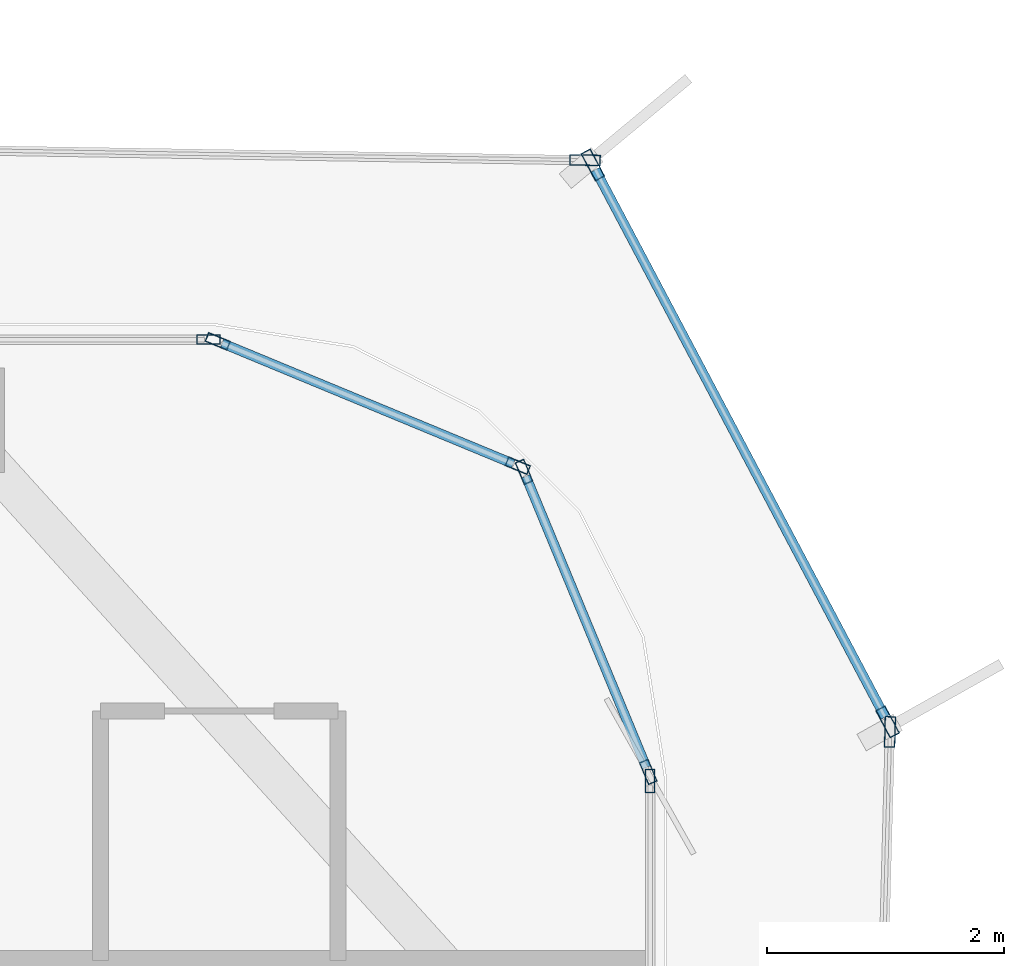
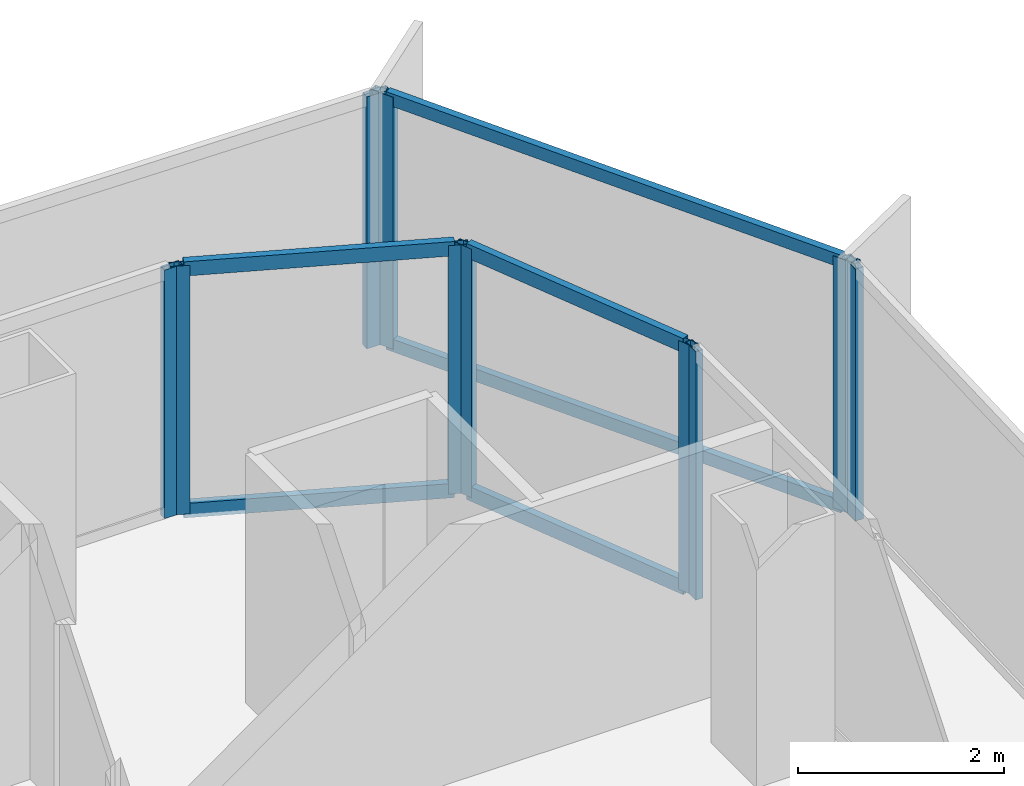
# One storey, part 14 of 21: 16 members, 7 elements without a shape of their own.
"""IFC4 building model written with IfcOpenShell, lengths in metres."""

from ifc_helpers import new_model, si_unit, direction, frame, origin, origin_2d, place, context, subcontext, project, spatial, hollow_rectangle, extrude, source, transform, mapped, material, layer, layer_set, material_profile, profile_set, type_object, element, aggregate, save


model = new_model("IFC4")

# Units and contexts
model_context = context("Model", 3, precision=1e-05, world=origin(), true_north=direction((0.0, 1.0)))
body_context = subcontext(model_context, "Body", "Model", "MODEL_VIEW")
ifc_project = project(units=[si_unit("LENGTHUNIT", "METRE"), si_unit("AREAUNIT", "SQUARE_METRE"), si_unit("VOLUMEUNIT", "CUBIC_METRE"), si_unit("PLANEANGLEUNIT", "RADIAN"), si_unit("MASSUNIT", "GRAM", prefix="KILO")], contexts=[model_context])

# Site, building, storey
site_placement = place(None, origin())
site = spatial("IfcSite", under=ifc_project, at=site_placement, CompositionType="ELEMENT")
building_placement = place(site_placement, origin())
building = spatial("IfcBuilding", under=site, at=building_placement, Name="Kolveth Station Tower", CompositionType="ELEMENT")
storey_placement = place(building_placement, frame((0.0, 0.0, 118.300048828125)))
storey = spatial("IfcBuildingStorey", under=building, at=storey_placement, Name="L32", CompositionType="ELEMENT", Elevation=118.300048828125)

# Curtain wall, member
ifc_material_1 = material(Name="Aluminium 6063-T6 and low-E dark glass", Category="aluminium")
ifc_layer_1 = layer(ifc_material_1, 0.18994140625)
ifc_layer_set_1 = layer_set([ifc_layer_1], Name="Aluminium 6063-T6 and low-E dark glass")
curtain_wall_type_1 = type_object("IfcCurtainWallType", Name="CurtainWall_CW-Z2", PredefinedType="NOTDEFINED", material=ifc_layer_set_1)
curtain_wall_1_placement = place(storey_placement, origin())
curtain_wall_1 = element("IfcCurtainWall", 1, at=curtain_wall_1_placement, inside=storey, type_object=curtain_wall_type_1, Name="L32 Inner Thermal Curtain Wall 3", PredefinedType="NOTDEFINED")
ifc_material_2 = material(Name="Black anodized aluminium 6063-T6", Category="aluminium")
ifc_material_profile_1 = material_profile(ifc_material_2, hollow_rectangle(XDim=0.080078125, YDim=0.199951171875, WallThickness=0.0048828125, at=origin_2d()), Name="ALU-80x200x5")
ifc_profile_set_1 = profile_set([ifc_material_profile_1], Name="Black anodized aluminium 6063-T6")
member_type_1 = type_object("IfcMemberType", Name="Mullion_ML2", PredefinedType="MULLION", material=ifc_profile_set_1)
shared_shape_1 = source(origin(), body_context, "Body", "SweptSolid", [
    extrude(hollow_rectangle(XDim=0.080078125, YDim=0.199951171875, WallThickness=0.0048828125, at=origin_2d()), origin(), (0.0, 0.0, 1.0), 2.949951171875),
])
member_1_placement = place(storey_placement, frame((46.8798828125, 31.4599609375, 0.0), z_axis=(0.0, 0.0, 1.0), x_axis=(-1.0, 0.0, 0.0)))
member_1 = element("IfcMember", 2, at=member_1_placement, type_object=member_type_1, Name="CW-Z2 mullion 2", PredefinedType="MULLION", context=body_context, shape_type="MappedRepresentation", body=[
    mapped(shared_shape_1, transform((0.0, 0.0, 0.0), x_axis=(1.0, 0.0, 0.0), y_axis=(0.0, 1.0, 0.0), z_axis=(0.0, 0.0, 1.0), scale=1.0)),
])
aggregate(curtain_wall_1, [member_1])

# Curtain wall, members
curtain_wall_2_placement = place(storey_placement, origin())
curtain_wall_2 = element("IfcCurtainWall", 3, at=curtain_wall_2_placement, inside=storey, type_object=curtain_wall_type_1, Name="L32 Inner Thermal Curtain Wall 4", PredefinedType="NOTDEFINED")
member_2_placement = place(storey_placement, frame((46.86474609375, 31.536865234375, 0.0), z_axis=(0.0, 0.0, 1.0), x_axis=(-0.923887883787, -0.38266326998, 0.0)))
member_2 = element("IfcMember", 4, at=member_2_placement, type_object=member_type_1, Name="CW-Z2 mullion 1", PredefinedType="MULLION", context=body_context, shape_type="MappedRepresentation", body=[
    mapped(shared_shape_1, transform((0.0, 0.0, 0.0), x_axis=(1.0, 0.0, 0.0), y_axis=(0.0, 1.0, 0.0), z_axis=(0.0, 0.0, 1.0), scale=1.0)),
])
member_3_placement = place(storey_placement, frame((45.817626953125, 34.065185546875, 0.0), z_axis=(0.0, 0.0, 1.0), x_axis=(-0.923887883787, -0.38266326998, 0.0)))
member_3 = element("IfcMember", 5, at=member_3_placement, type_object=member_type_1, Name="CW-Z2 mullion 2", PredefinedType="MULLION", context=body_context, shape_type="MappedRepresentation", body=[
    mapped(shared_shape_1, transform((0.0, 0.0, 0.0), x_axis=(1.0, 0.0, 0.0), y_axis=(0.0, 1.0, 0.0), z_axis=(0.0, 0.0, 1.0), scale=1.0)),
])

curtain_wall_3_placement = place(storey_placement, origin())
curtain_wall_3 = element("IfcCurtainWall", 6, at=curtain_wall_3_placement, inside=storey, type_object=curtain_wall_type_1, Name="L32 Inner Thermal Curtain Wall 5", PredefinedType="NOTDEFINED")
member_4_placement = place(storey_placement, frame((45.76513671875, 34.117431640625, 0.0), z_axis=(0.0, 0.0, 1.0), x_axis=(-0.38266326998, -0.923887883787, 0.0)))
member_4 = element("IfcMember", 7, at=member_4_placement, type_object=member_type_1, Name="CW-Z2 mullion 1", PredefinedType="MULLION", context=body_context, shape_type="MappedRepresentation", body=[
    mapped(shared_shape_1, transform((0.0, 0.0, 0.0), x_axis=(1.0, 0.0, 0.0), y_axis=(0.0, 1.0, 0.0), z_axis=(0.0, 0.0, 1.0), scale=1.0)),
])
member_5_placement = place(storey_placement, frame((43.237060546875, 35.164794921875, 0.0), z_axis=(0.0, 0.0, 1.0), x_axis=(-0.38266326998, -0.923887883787, 0.0)))
member_5 = element("IfcMember", 8, at=member_5_placement, type_object=member_type_1, Name="CW-Z2 mullion 2", PredefinedType="MULLION", context=body_context, shape_type="MappedRepresentation", body=[
    mapped(shared_shape_1, transform((0.0, 0.0, 0.0), x_axis=(1.0, 0.0, 0.0), y_axis=(0.0, 1.0, 0.0), z_axis=(0.0, 0.0, 1.0), scale=1.0)),
])

# Curtain wall, member
curtain_wall_4_placement = place(storey_placement, origin())
curtain_wall_4 = element("IfcCurtainWall", 9, at=curtain_wall_4_placement, inside=storey, type_object=curtain_wall_type_1, Name="L32 Inner Thermal Curtain Wall 6", PredefinedType="NOTDEFINED")
member_6_placement = place(storey_placement, frame((43.159912109375, 35.179931640625, 0.0), z_axis=(0.0, 0.0, 1.0), x_axis=(0.0, -1.0, 0.0)))
member_6 = element("IfcMember", 10, at=member_6_placement, type_object=member_type_1, Name="CW-Z2 mullion 1", PredefinedType="MULLION", context=body_context, shape_type="MappedRepresentation", body=[
    mapped(shared_shape_1, transform((0.0, 0.0, 0.0), x_axis=(1.0, 0.0, 0.0), y_axis=(0.0, 1.0, 0.0), z_axis=(0.0, 0.0, 1.0), scale=1.0)),
])
aggregate(curtain_wall_4, [member_6])

# Member
ifc_material_profile_2 = material_profile(ifc_material_2, hollow_rectangle(XDim=0.080078125, YDim=0.169921875, WallThickness=0.0048828125, at=origin_2d()), Name="ALU-80x170x5")
ifc_profile_set_2 = profile_set([ifc_material_profile_2], Name="Black anodized aluminium 6063-T6")
member_type_2 = type_object("IfcMemberType", Name="Transom_TR2", PredefinedType="USERDEFINED", material=ifc_profile_set_2)
shared_shape_2 = source(origin(), body_context, "Body", "SweptSolid", [
    extrude(hollow_rectangle(XDim=0.080078125, YDim=0.169921875, WallThickness=0.0048828125, at=origin_2d()), origin(), (0.0, 0.0, 1.0), 2.656494140625),
])
member_7_placement = place(storey_placement, frame((46.849365234375, 31.573974609375, 0.0400390625), z_axis=(-0.382676455475, 0.923882422403, 0.0), x_axis=(-0.923882422403, -0.382676455475, 0.0)))
member_7 = element("IfcMember", 11, at=member_7_placement, type_object=member_type_2, Name="CW-Z2 transom 1.1", ObjectType="TRANSOM", PredefinedType="USERDEFINED", context=body_context, shape_type="MappedRepresentation", body=[
    mapped(shared_shape_2, transform((0.0, 0.0, 0.0), x_axis=(1.0, 0.0, 0.0), y_axis=(0.0, 1.0, 0.0), z_axis=(0.0, 0.0, 1.0), scale=1.0)),
])

member_8_placement = place(storey_placement, frame((46.849365234375, 31.573974609375, 2.909912109375), z_axis=(-0.382676455475, 0.923882422403, 0.0), x_axis=(-0.923882422403, -0.382676455475, 0.0)))
member_8 = element("IfcMember", 12, at=member_8_placement, type_object=member_type_2, Name="CW-Z2 transom 1.2", ObjectType="TRANSOM", PredefinedType="USERDEFINED", context=body_context, shape_type="MappedRepresentation", body=[
    mapped(shared_shape_2, transform((0.0, 0.0, 0.0), x_axis=(1.0, 0.0, 0.0), y_axis=(0.0, 1.0, 0.0), z_axis=(0.0, 0.0, 1.0), scale=1.0)),
])

aggregate(curtain_wall_2, [member_2, member_3, member_7, member_8])

member_9_placement = place(storey_placement, frame((45.728271484375, 34.1328125, 0.0400390625), z_axis=(-0.923882422403, 0.382676455475, 0.0), x_axis=(-0.382676455475, -0.923882422403, 0.0)))
member_9 = element("IfcMember", 13, at=member_9_placement, type_object=member_type_2, Name="CW-Z2 transom 1.1", ObjectType="TRANSOM", PredefinedType="USERDEFINED", context=body_context, shape_type="MappedRepresentation", body=[
    mapped(shared_shape_2, transform((0.0, 0.0, 0.0), x_axis=(1.0, 0.0, 0.0), y_axis=(0.0, 1.0, 0.0), z_axis=(0.0, 0.0, 1.0), scale=1.0)),
])

member_10_placement = place(storey_placement, frame((45.728271484375, 34.1328125, 2.909912109375), z_axis=(-0.923882422403, 0.382676455475, 0.0), x_axis=(-0.382676455475, -0.923882422403, 0.0)))
member_10 = element("IfcMember", 14, at=member_10_placement, type_object=member_type_2, Name="CW-Z2 transom 1.2", ObjectType="TRANSOM", PredefinedType="USERDEFINED", context=body_context, shape_type="MappedRepresentation", body=[
    mapped(shared_shape_2, transform((0.0, 0.0, 0.0), x_axis=(1.0, 0.0, 0.0), y_axis=(0.0, 1.0, 0.0), z_axis=(0.0, 0.0, 1.0), scale=1.0)),
])

aggregate(curtain_wall_3, [member_4, member_5, member_9, member_10])

# Curtain wall, member
ifc_material_3 = material(Name="Black anodized aluminium 6063-T6 and dark solar glass", Category="aluminium")
ifc_layer_2 = layer(ifc_material_3, 0.159912109375)
ifc_layer_set_2 = layer_set([ifc_layer_2], Name="Black anodized aluminium 6063-T6 and dark solar glass")
curtain_wall_type_2 = type_object("IfcCurtainWallType", Name="OUTER SKIN CW-OS", PredefinedType="NOTDEFINED", material=ifc_layer_set_2)
curtain_wall_5_placement = place(storey_placement, origin())
curtain_wall_5 = element("IfcCurtainWall", 15, at=curtain_wall_5_placement, inside=storey, type_object=curtain_wall_type_2, Name="L32 Outer Ventilated Skin Curtain Wall 2", PredefinedType="NOTDEFINED")
ifc_material_profile_3 = material_profile(ifc_material_2, hollow_rectangle(XDim=0.090087890625, YDim=0.260009765625, WallThickness=0.0048828125, at=origin_2d()), Name="ALU-90x260x5")
ifc_profile_set_3 = profile_set([ifc_material_profile_3], Name="Black anodized aluminium 6063-T6")
member_type_3 = type_object("IfcMemberType", Name="FIN MULLION ML-OS", PredefinedType="MULLION", material=ifc_profile_set_3)
shared_shape_3 = source(origin(), body_context, "Body", "SweptSolid", [
    extrude(hollow_rectangle(XDim=0.090087890625, YDim=0.260009765625, WallThickness=0.0048828125, at=origin_2d()), origin(), (0.0, 0.0, 1.0), 2.989990234375),
])
member_11_placement = place(storey_placement, frame((48.901123046875, 31.874267578125, 0.0), z_axis=(0.0, 0.0, 1.0), x_axis=(-0.999639935949, 0.026832786952, 0.0)))
member_11 = element("IfcMember", 16, at=member_11_placement, type_object=member_type_3, Name="CW-OS mullion 2", PredefinedType="MULLION", context=body_context, shape_type="MappedRepresentation", body=[
    mapped(shared_shape_3, transform((0.0, 0.0, 0.0), x_axis=(1.0, 0.0, 0.0), y_axis=(0.0, 1.0, 0.0), z_axis=(0.0, 0.0, 1.0), scale=1.0)),
])
aggregate(curtain_wall_5, [member_11])

# Curtain wall, members
curtain_wall_6_placement = place(storey_placement, origin())
curtain_wall_6 = element("IfcCurtainWall", 17, at=curtain_wall_6_placement, inside=storey, type_object=curtain_wall_type_2, Name="L32 Outer Ventilated Skin Curtain Wall 3", PredefinedType="NOTDEFINED")
member_12_placement = place(storey_placement, frame((48.88134765625, 31.958984375, 0.0), z_axis=(0.0, 0.0, 1.0), x_axis=(-0.883829812425, -0.467808574812, 0.0)))
member_12 = element("IfcMember", 18, at=member_12_placement, type_object=member_type_3, Name="CW-OS mullion 1", PredefinedType="MULLION", context=body_context, shape_type="MappedRepresentation", body=[
    mapped(shared_shape_3, transform((0.0, 0.0, 0.0), x_axis=(1.0, 0.0, 0.0), y_axis=(0.0, 1.0, 0.0), z_axis=(0.0, 0.0, 1.0), scale=1.0)),
])
member_13_placement = place(storey_placement, frame((46.397705078125, 36.651123046875, 0.0), z_axis=(0.0, 0.0, 1.0), x_axis=(-0.883829812425, -0.467808574812, 0.0)))
member_13 = element("IfcMember", 19, at=member_13_placement, type_object=member_type_3, Name="CW-OS mullion 2", PredefinedType="MULLION", context=body_context, shape_type="MappedRepresentation", body=[
    mapped(shared_shape_3, transform((0.0, 0.0, 0.0), x_axis=(1.0, 0.0, 0.0), y_axis=(0.0, 1.0, 0.0), z_axis=(0.0, 0.0, 1.0), scale=1.0)),
])

# Curtain wall, member
curtain_wall_7_placement = place(storey_placement, origin())
curtain_wall_7 = element("IfcCurtainWall", 20, at=curtain_wall_7_placement, inside=storey, type_object=curtain_wall_type_2, Name="L32 Outer Ventilated Skin Curtain Wall 4", PredefinedType="NOTDEFINED")
member_14_placement = place(storey_placement, frame((46.331787109375, 36.691650390625, 0.0), z_axis=(0.0, 0.0, 1.0), x_axis=(-0.016076434391, -0.999870765778, 0.0)))
member_14 = element("IfcMember", 21, at=member_14_placement, type_object=member_type_3, Name="CW-OS mullion 1", PredefinedType="MULLION", context=body_context, shape_type="MappedRepresentation", body=[
    mapped(shared_shape_3, transform((0.0, 0.0, 0.0), x_axis=(1.0, 0.0, 0.0), y_axis=(0.0, 1.0, 0.0), z_axis=(0.0, 0.0, 1.0), scale=1.0)),
])
aggregate(curtain_wall_7, [member_14])

# Member
ifc_material_profile_4 = material_profile(ifc_material_2, hollow_rectangle(XDim=0.080078125, YDim=0.14990234375, WallThickness=0.0048828125, at=origin_2d()), Name="ALU-80x150x5")
ifc_profile_set_4 = profile_set([ifc_material_profile_4], Name="Black anodized aluminium 6063-T6")
member_type_4 = type_object("IfcMemberType", Name="Transom_TR-OS", PredefinedType="USERDEFINED", material=ifc_profile_set_4)
shared_shape_4 = source(origin(), body_context, "Body", "SweptSolid", [
    extrude(hollow_rectangle(XDim=0.080078125, YDim=0.14990234375, WallThickness=0.0048828125, at=origin_2d()), origin(), (0.0, 0.0, 1.0), 5.21923828125),
])
member_15_placement = place(storey_placement, frame((48.8603515625, 31.998779296875, 0.0400390625), z_axis=(-0.467825390916, 0.883820911505, 0.0), x_axis=(-0.883820911505, -0.467825390916, 0.0)))
member_15 = element("IfcMember", 22, at=member_15_placement, type_object=member_type_4, Name="CW-OS transom 1.1", ObjectType="TRANSOM", PredefinedType="USERDEFINED", context=body_context, shape_type="MappedRepresentation", body=[
    mapped(shared_shape_4, transform((0.0, 0.0, 0.0), x_axis=(1.0, 0.0, 0.0), y_axis=(0.0, 1.0, 0.0), z_axis=(0.0, 0.0, 1.0), scale=1.0)),
])

member_16_placement = place(storey_placement, frame((48.8603515625, 31.998779296875, 2.949951171875), z_axis=(-0.467825390916, 0.883820911505, 0.0), x_axis=(-0.883820911505, -0.467825390916, 0.0)))
member_16 = element("IfcMember", 23, at=member_16_placement, type_object=member_type_4, Name="CW-OS transom 1.2", ObjectType="TRANSOM", PredefinedType="USERDEFINED", context=body_context, shape_type="MappedRepresentation", body=[
    mapped(shared_shape_4, transform((0.0, 0.0, 0.0), x_axis=(1.0, 0.0, 0.0), y_axis=(0.0, 1.0, 0.0), z_axis=(0.0, 0.0, 1.0), scale=1.0)),
])

aggregate(curtain_wall_6, [member_12, member_13, member_15, member_16])

save(model, "model.ifc")
